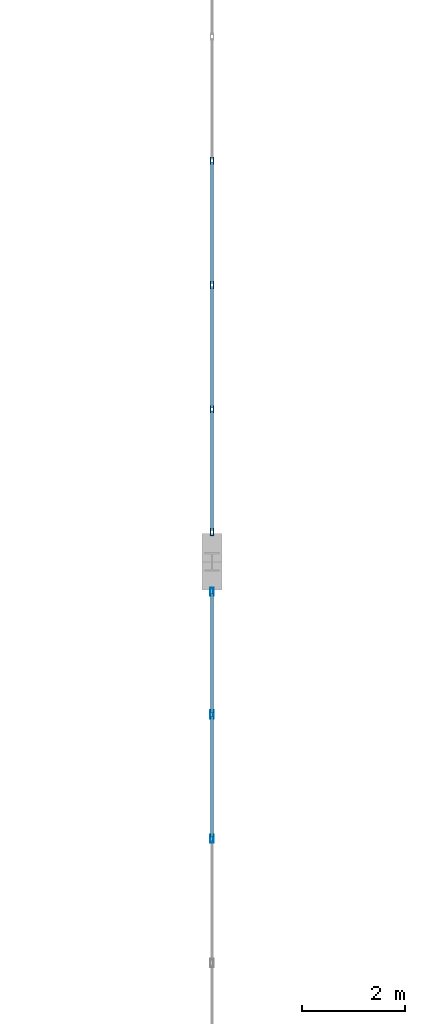
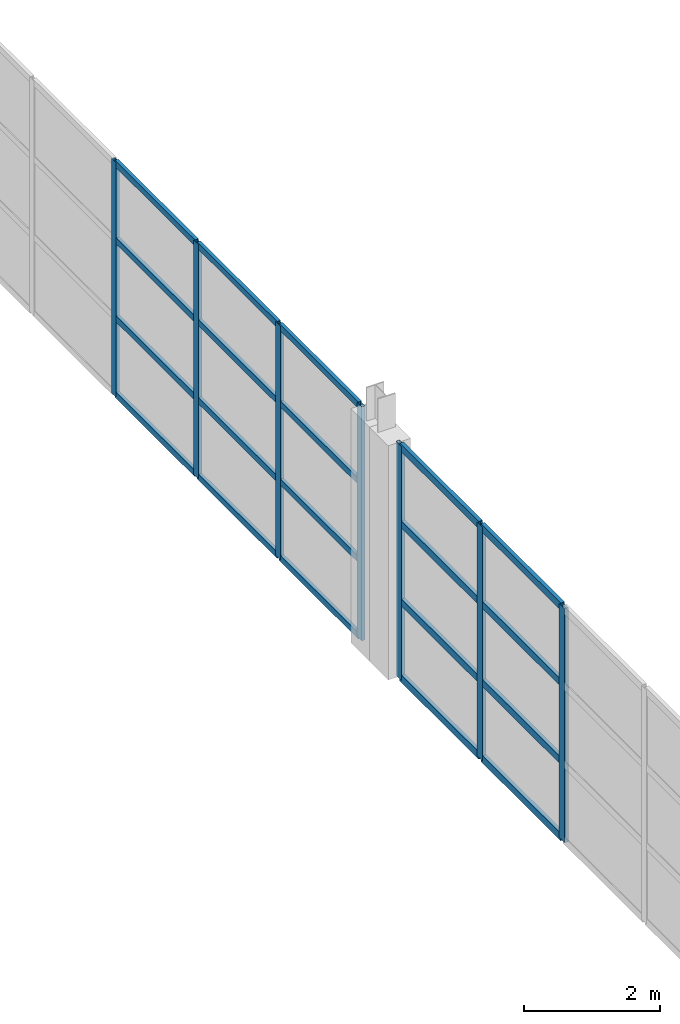
# One storey, part 24 of 86: 27 members, 2 elements without a shape of their own.
"""IFC4 building model written with IfcOpenShell, lengths in metres."""

from ifc_helpers import new_model, si_unit, direction, frame, origin, origin_2d, place, context, subcontext, project, spatial, hollow_rectangle, extrude, material, layer, layer_set, material_profile, profile_set, type_object, element, aggregate, save


model = new_model("IFC4")

# Units and contexts
model_context = context("Model", 3, precision=1e-05, world=origin(), true_north=direction((0.0, 1.0)))
body_context = subcontext(model_context, "Body", "Model", "MODEL_VIEW")
ifc_project = project(units=[si_unit("LENGTHUNIT", "METRE"), si_unit("AREAUNIT", "SQUARE_METRE"), si_unit("VOLUMEUNIT", "CUBIC_METRE"), si_unit("PLANEANGLEUNIT", "RADIAN"), si_unit("MASSUNIT", "GRAM", prefix="KILO")], contexts=[model_context])

# Site, building, storey
site_placement = place(None, origin())
site = spatial("IfcSite", under=ifc_project, at=site_placement, CompositionType="ELEMENT")
building_placement = place(site_placement, origin())
building = spatial("IfcBuilding", under=site, at=building_placement, Name="Zilviju Railside Exhibition Hall", CompositionType="ELEMENT")
storey_placement = place(building_placement, frame((0.0, 0.0, 12.60009765625)))
storey = spatial("IfcBuildingStorey", under=building, at=storey_placement, Name="L04", CompositionType="ELEMENT", Elevation=12.60009765625)

# Curtain wall, members
ifc_material_1 = material(Name="Thermally broken aluminium-steel triple-glazed curtain wall", Category="steel")
ifc_layer_1 = layer(ifc_material_1, 0.179931640625)
ifc_layer_set_1 = layer_set([ifc_layer_1], Name="Thermally broken aluminium-steel triple-glazed curtain wall")
curtain_wall_type_1 = type_object("IfcCurtainWallType", Name="CW-BAY-17", PredefinedType="USERDEFINED", material=ifc_layer_set_1)
curtain_wall_1_placement = place(storey_placement, origin())
curtain_wall_1 = element("IfcCurtainWall", 1, at=curtain_wall_1_placement, inside=storey, type_object=curtain_wall_type_1, Name="North Hall West Upper Glazed Gable (102..120)", ObjectType="GLAZED CURTAIN WALL", PredefinedType="USERDEFINED")
ifc_material_2 = material(Name="Thermally broken anodized aluminium mullion", Category="aluminium")
ifc_material_profile_1 = material_profile(ifc_material_2, hollow_rectangle(XDim=0.06005859375, YDim=0.139892578125, WallThickness=0.0048828125, at=origin_2d()), Name="MULLION 140x60x5")
ifc_profile_set_1 = profile_set([ifc_material_profile_1], Name="Thermally broken anodized aluminium mullion")
member_type_1 = type_object("IfcMemberType", Name="CWM-60x140", PredefinedType="MULLION", material=ifc_profile_set_1)
member_1_placement = place(storey_placement, frame((78.0, 102.580078125, 0.0), z_axis=(0.0, 0.0, 1.0), x_axis=(-1.0, 0.0, 0.0)))
member_1 = element("IfcMember", 2, at=member_1_placement, type_object=member_type_1, Name="CW-17 mullion 1", PredefinedType="MULLION", context=body_context, shape_type="SweptSolid", body=[
    extrude(hollow_rectangle(XDim=0.06005859375, YDim=0.139892578125, WallThickness=0.0048828125, at=origin_2d()), origin(), (0.0, 0.0, 1.0), 4.199951171875),
])
member_2_placement = place(storey_placement, frame((78.0, 104.96435546875, 0.0), z_axis=(0.0, 0.0, 1.0), x_axis=(-1.0, 0.0, 0.0)))
member_2 = element("IfcMember", 3, at=member_2_placement, type_object=member_type_1, Name="CW-17 mullion 2", PredefinedType="MULLION", context=body_context, shape_type="SweptSolid", body=[
    extrude(hollow_rectangle(XDim=0.06005859375, YDim=0.139892578125, WallThickness=0.0048828125, at=origin_2d()), origin(), (0.0, 0.0, 1.0), 4.199951171875),
])
member_3_placement = place(storey_placement, frame((78.0, 107.378662109375, 0.0), z_axis=(0.0, 0.0, 1.0), x_axis=(-1.0, 0.0, 0.0)))
member_3 = element("IfcMember", 4, at=member_3_placement, type_object=member_type_1, Name="CW-17 mullion 3", PredefinedType="MULLION", context=body_context, shape_type="SweptSolid", body=[
    extrude(hollow_rectangle(XDim=0.06005859375, YDim=0.139892578125, WallThickness=0.0048828125, at=origin_2d()), origin(), (0.0, 0.0, 1.0), 4.199951171875),
])
member_4_placement = place(storey_placement, frame((78.0, 109.79296875, 0.0), z_axis=(0.0, 0.0, 1.0), x_axis=(-1.0, 0.0, 0.0)))
member_4 = element("IfcMember", 5, at=member_4_placement, type_object=member_type_1, Name="CW-17 mullion 4", PredefinedType="MULLION", context=body_context, shape_type="SweptSolid", body=[
    extrude(hollow_rectangle(XDim=0.06005859375, YDim=0.139892578125, WallThickness=0.0048828125, at=origin_2d()), origin(), (0.0, 0.0, 1.0), 4.199951171875),
])

ifc_layer_2 = layer(ifc_material_1, 0.179931640625)
ifc_layer_set_2 = layer_set([ifc_layer_2], Name="Thermally broken aluminium-steel triple-glazed curtain wall")
curtain_wall_type_2 = type_object("IfcCurtainWallType", Name="CW-BAY-16", PredefinedType="USERDEFINED", material=ifc_layer_set_2)
curtain_wall_2_placement = place(storey_placement, origin())
curtain_wall_2 = element("IfcCurtainWall", 6, at=curtain_wall_2_placement, inside=storey, type_object=curtain_wall_type_2, Name="North Hall West Upper Glazed Gable (84..102)", ObjectType="GLAZED CURTAIN WALL", PredefinedType="USERDEFINED")
ifc_material_profile_2 = material_profile(ifc_material_2, hollow_rectangle(XDim=0.06494140625, YDim=0.159912109375, WallThickness=0.0048828125, at=origin_2d()), Name="MULLION 160x65x5")
ifc_profile_set_2 = profile_set([ifc_material_profile_2], Name="Thermally broken anodized aluminium mullion")
member_type_2 = type_object("IfcMemberType", Name="CWM-65x160", PredefinedType="MULLION", material=ifc_profile_set_2)
member_5_placement = place(storey_placement, frame((78.0, 96.621337890625, 0.0), z_axis=(0.0, 0.0, 1.0), x_axis=(-1.0, 0.0, 0.0)))
member_5 = element("IfcMember", 7, at=member_5_placement, type_object=member_type_2, Name="CW-16 mullion 6", PredefinedType="MULLION", context=body_context, shape_type="SweptSolid", body=[
    extrude(hollow_rectangle(XDim=0.06494140625, YDim=0.159912109375, WallThickness=0.0048828125, at=origin_2d()), origin(), (0.0, 0.0, 1.0), 4.199951171875),
])
member_6_placement = place(storey_placement, frame((78.0, 99.03564453125, 0.0), z_axis=(0.0, 0.0, 1.0), x_axis=(-1.0, 0.0, 0.0)))
member_6 = element("IfcMember", 8, at=member_6_placement, type_object=member_type_2, Name="CW-16 mullion 7", PredefinedType="MULLION", context=body_context, shape_type="SweptSolid", body=[
    extrude(hollow_rectangle(XDim=0.06494140625, YDim=0.159912109375, WallThickness=0.0048828125, at=origin_2d()), origin(), (0.0, 0.0, 1.0), 4.199951171875),
])
member_7_placement = place(storey_placement, frame((78.0, 101.41748046875, 0.0), z_axis=(0.0, 0.0, 1.0), x_axis=(-1.0, 0.0, 0.0)))
member_7 = element("IfcMember", 9, at=member_7_placement, type_object=member_type_2, Name="CW-16 mullion 8", PredefinedType="MULLION", context=body_context, shape_type="SweptSolid", body=[
    extrude(hollow_rectangle(XDim=0.06494140625, YDim=0.159912109375, WallThickness=0.0048828125, at=origin_2d()), origin(), (0.0, 0.0, 1.0), 4.199951171875),
])

# Member
ifc_material_3 = material(Name="Thermally broken anodized aluminium transom", Category="aluminium")
ifc_material_profile_3 = material_profile(ifc_material_3, hollow_rectangle(XDim=0.06005859375, YDim=0.110107421875, WallThickness=0.0048828125, at=origin_2d()), Name="TRANSOM 110x60x5")
ifc_profile_set_3 = profile_set([ifc_material_profile_3], Name="Thermally broken anodized aluminium transom")
member_type_3 = type_object("IfcMemberType", Name="CWT-60x110", PredefinedType="USERDEFINED", material=ifc_profile_set_3)
member_8_placement = place(storey_placement, frame((78.0, 102.610107421875, 0.02978515625), z_axis=(0.0, 1.0, 0.0), x_axis=(-1.0, 0.0, 0.0)))
member_8 = element("IfcMember", 10, at=member_8_placement, type_object=member_type_3, Name="CW-17 transom 1.1", ObjectType="TRANSOM", PredefinedType="USERDEFINED", context=body_context, shape_type="SweptSolid", body=[
    extrude(hollow_rectangle(XDim=0.06005859375, YDim=0.110107421875, WallThickness=0.0048828125, at=origin_2d()), origin(), (0.0, 0.0, 1.0), 2.32421875),
])

member_9_placement = place(storey_placement, frame((78.0, 102.610107421875, 1.39990234375), z_axis=(0.0, 1.0, 0.0), x_axis=(-1.0, 0.0, 0.0)))
member_9 = element("IfcMember", 11, at=member_9_placement, type_object=member_type_3, Name="CW-17 transom 1.2", ObjectType="TRANSOM", PredefinedType="USERDEFINED", context=body_context, shape_type="SweptSolid", body=[
    extrude(hollow_rectangle(XDim=0.06005859375, YDim=0.110107421875, WallThickness=0.0048828125, at=origin_2d()), origin(), (0.0, 0.0, 1.0), 2.32421875),
])

member_10_placement = place(storey_placement, frame((78.0, 102.610107421875, 2.7998046875), z_axis=(0.0, 1.0, 0.0), x_axis=(-1.0, 0.0, 0.0)))
member_10 = element("IfcMember", 12, at=member_10_placement, type_object=member_type_3, Name="CW-17 transom 1.3", ObjectType="TRANSOM", PredefinedType="USERDEFINED", context=body_context, shape_type="SweptSolid", body=[
    extrude(hollow_rectangle(XDim=0.06005859375, YDim=0.110107421875, WallThickness=0.0048828125, at=origin_2d()), origin(), (0.0, 0.0, 1.0), 2.32421875),
])

member_11_placement = place(storey_placement, frame((78.0, 102.610107421875, 4.169921875), z_axis=(0.0, 1.0, 0.0), x_axis=(-1.0, 0.0, 0.0)))
member_11 = element("IfcMember", 13, at=member_11_placement, type_object=member_type_3, Name="CW-17 transom 1.4", ObjectType="TRANSOM", PredefinedType="USERDEFINED", context=body_context, shape_type="SweptSolid", body=[
    extrude(hollow_rectangle(XDim=0.06005859375, YDim=0.110107421875, WallThickness=0.0048828125, at=origin_2d()), origin(), (0.0, 0.0, 1.0), 2.32421875),
])

member_12_placement = place(storey_placement, frame((78.0, 104.994384765625, 0.02978515625), z_axis=(0.0, 1.0, 0.0), x_axis=(-1.0, 0.0, 0.0)))
member_12 = element("IfcMember", 14, at=member_12_placement, type_object=member_type_3, Name="CW-17 transom 2.1", ObjectType="TRANSOM", PredefinedType="USERDEFINED", context=body_context, shape_type="SweptSolid", body=[
    extrude(hollow_rectangle(XDim=0.06005859375, YDim=0.110107421875, WallThickness=0.0048828125, at=origin_2d()), origin(), (0.0, 0.0, 1.0), 2.354248046875),
])

member_13_placement = place(storey_placement, frame((78.0, 104.994384765625, 1.39990234375), z_axis=(0.0, 1.0, 0.0), x_axis=(-1.0, 0.0, 0.0)))
member_13 = element("IfcMember", 15, at=member_13_placement, type_object=member_type_3, Name="CW-17 transom 2.2", ObjectType="TRANSOM", PredefinedType="USERDEFINED", context=body_context, shape_type="SweptSolid", body=[
    extrude(hollow_rectangle(XDim=0.06005859375, YDim=0.110107421875, WallThickness=0.0048828125, at=origin_2d()), origin(), (0.0, 0.0, 1.0), 2.354248046875),
])

member_14_placement = place(storey_placement, frame((78.0, 104.994384765625, 2.7998046875), z_axis=(0.0, 1.0, 0.0), x_axis=(-1.0, 0.0, 0.0)))
member_14 = element("IfcMember", 16, at=member_14_placement, type_object=member_type_3, Name="CW-17 transom 2.3", ObjectType="TRANSOM", PredefinedType="USERDEFINED", context=body_context, shape_type="SweptSolid", body=[
    extrude(hollow_rectangle(XDim=0.06005859375, YDim=0.110107421875, WallThickness=0.0048828125, at=origin_2d()), origin(), (0.0, 0.0, 1.0), 2.354248046875),
])

member_15_placement = place(storey_placement, frame((78.0, 104.994384765625, 4.169921875), z_axis=(0.0, 1.0, 0.0), x_axis=(-1.0, 0.0, 0.0)))
member_15 = element("IfcMember", 17, at=member_15_placement, type_object=member_type_3, Name="CW-17 transom 2.4", ObjectType="TRANSOM", PredefinedType="USERDEFINED", context=body_context, shape_type="SweptSolid", body=[
    extrude(hollow_rectangle(XDim=0.06005859375, YDim=0.110107421875, WallThickness=0.0048828125, at=origin_2d()), origin(), (0.0, 0.0, 1.0), 2.354248046875),
])

member_16_placement = place(storey_placement, frame((78.0, 107.40869140625, 0.02978515625), z_axis=(0.0, 1.0, 0.0), x_axis=(-1.0, 0.0, 0.0)))
member_16 = element("IfcMember", 18, at=member_16_placement, type_object=member_type_3, Name="CW-17 transom 3.1", ObjectType="TRANSOM", PredefinedType="USERDEFINED", context=body_context, shape_type="SweptSolid", body=[
    extrude(hollow_rectangle(XDim=0.06005859375, YDim=0.110107421875, WallThickness=0.0048828125, at=origin_2d()), origin(), (0.0, 0.0, 1.0), 2.354248046875),
])

member_17_placement = place(storey_placement, frame((78.0, 107.40869140625, 1.39990234375), z_axis=(0.0, 1.0, 0.0), x_axis=(-1.0, 0.0, 0.0)))
member_17 = element("IfcMember", 19, at=member_17_placement, type_object=member_type_3, Name="CW-17 transom 3.2", ObjectType="TRANSOM", PredefinedType="USERDEFINED", context=body_context, shape_type="SweptSolid", body=[
    extrude(hollow_rectangle(XDim=0.06005859375, YDim=0.110107421875, WallThickness=0.0048828125, at=origin_2d()), origin(), (0.0, 0.0, 1.0), 2.354248046875),
])

member_18_placement = place(storey_placement, frame((78.0, 107.40869140625, 2.7998046875), z_axis=(0.0, 1.0, 0.0), x_axis=(-1.0, 0.0, 0.0)))
member_18 = element("IfcMember", 20, at=member_18_placement, type_object=member_type_3, Name="CW-17 transom 3.3", ObjectType="TRANSOM", PredefinedType="USERDEFINED", context=body_context, shape_type="SweptSolid", body=[
    extrude(hollow_rectangle(XDim=0.06005859375, YDim=0.110107421875, WallThickness=0.0048828125, at=origin_2d()), origin(), (0.0, 0.0, 1.0), 2.354248046875),
])

member_19_placement = place(storey_placement, frame((78.0, 107.40869140625, 4.169921875), z_axis=(0.0, 1.0, 0.0), x_axis=(-1.0, 0.0, 0.0)))
member_19 = element("IfcMember", 21, at=member_19_placement, type_object=member_type_3, Name="CW-17 transom 3.4", ObjectType="TRANSOM", PredefinedType="USERDEFINED", context=body_context, shape_type="SweptSolid", body=[
    extrude(hollow_rectangle(XDim=0.06005859375, YDim=0.110107421875, WallThickness=0.0048828125, at=origin_2d()), origin(), (0.0, 0.0, 1.0), 2.354248046875),
])

aggregate(curtain_wall_1, [member_1, member_2, member_3, member_4, member_8, member_9, member_10, member_11, member_12, member_13, member_14, member_15, member_16, member_17, member_18, member_19])

ifc_material_profile_4 = material_profile(ifc_material_3, hollow_rectangle(XDim=0.06494140625, YDim=0.1298828125, WallThickness=0.0048828125, at=origin_2d()), Name="TRANSOM 130x65x5")
ifc_profile_set_4 = profile_set([ifc_material_profile_4], Name="Thermally broken anodized aluminium transom")
member_type_4 = type_object("IfcMemberType", Name="CWT-65x130", PredefinedType="USERDEFINED", material=ifc_profile_set_4)
member_20_placement = place(storey_placement, frame((78.0, 96.65380859375, 0.032470703125), z_axis=(0.0, 1.0, 0.0), x_axis=(-1.0, 0.0, 0.0)))
member_20 = element("IfcMember", 22, at=member_20_placement, type_object=member_type_4, Name="CW-16 transom 6.1", ObjectType="TRANSOM", PredefinedType="USERDEFINED", context=body_context, shape_type="SweptSolid", body=[
    extrude(hollow_rectangle(XDim=0.06494140625, YDim=0.1298828125, WallThickness=0.0048828125, at=origin_2d()), origin(), (0.0, 0.0, 1.0), 2.349365234375),
])

member_21_placement = place(storey_placement, frame((78.0, 96.65380859375, 1.39990234375), z_axis=(0.0, 1.0, 0.0), x_axis=(-1.0, 0.0, 0.0)))
member_21 = element("IfcMember", 23, at=member_21_placement, type_object=member_type_4, Name="CW-16 transom 6.2", ObjectType="TRANSOM", PredefinedType="USERDEFINED", context=body_context, shape_type="SweptSolid", body=[
    extrude(hollow_rectangle(XDim=0.06494140625, YDim=0.1298828125, WallThickness=0.0048828125, at=origin_2d()), origin(), (0.0, 0.0, 1.0), 2.349365234375),
])

member_22_placement = place(storey_placement, frame((78.0, 96.65380859375, 2.7998046875), z_axis=(0.0, 1.0, 0.0), x_axis=(-1.0, 0.0, 0.0)))
member_22 = element("IfcMember", 24, at=member_22_placement, type_object=member_type_4, Name="CW-16 transom 6.3", ObjectType="TRANSOM", PredefinedType="USERDEFINED", context=body_context, shape_type="SweptSolid", body=[
    extrude(hollow_rectangle(XDim=0.06494140625, YDim=0.1298828125, WallThickness=0.0048828125, at=origin_2d()), origin(), (0.0, 0.0, 1.0), 2.349365234375),
])

member_23_placement = place(storey_placement, frame((78.0, 96.65380859375, 4.16748046875), z_axis=(0.0, 1.0, 0.0), x_axis=(-1.0, 0.0, 0.0)))
member_23 = element("IfcMember", 25, at=member_23_placement, type_object=member_type_4, Name="CW-16 transom 6.4", ObjectType="TRANSOM", PredefinedType="USERDEFINED", context=body_context, shape_type="SweptSolid", body=[
    extrude(hollow_rectangle(XDim=0.06494140625, YDim=0.1298828125, WallThickness=0.0048828125, at=origin_2d()), origin(), (0.0, 0.0, 1.0), 2.349365234375),
])

member_24_placement = place(storey_placement, frame((78.0, 99.068115234375, 0.032470703125), z_axis=(0.0, 1.0, 0.0), x_axis=(-1.0, 0.0, 0.0)))
member_24 = element("IfcMember", 26, at=member_24_placement, type_object=member_type_4, Name="CW-16 transom 7.1", ObjectType="TRANSOM", PredefinedType="USERDEFINED", context=body_context, shape_type="SweptSolid", body=[
    extrude(hollow_rectangle(XDim=0.06494140625, YDim=0.1298828125, WallThickness=0.0048828125, at=origin_2d()), origin(), (0.0, 0.0, 1.0), 2.31689453125),
])

member_25_placement = place(storey_placement, frame((78.0, 99.068115234375, 1.39990234375), z_axis=(0.0, 1.0, 0.0), x_axis=(-1.0, 0.0, 0.0)))
member_25 = element("IfcMember", 27, at=member_25_placement, type_object=member_type_4, Name="CW-16 transom 7.2", ObjectType="TRANSOM", PredefinedType="USERDEFINED", context=body_context, shape_type="SweptSolid", body=[
    extrude(hollow_rectangle(XDim=0.06494140625, YDim=0.1298828125, WallThickness=0.0048828125, at=origin_2d()), origin(), (0.0, 0.0, 1.0), 2.31689453125),
])

member_26_placement = place(storey_placement, frame((78.0, 99.068115234375, 2.7998046875), z_axis=(0.0, 1.0, 0.0), x_axis=(-1.0, 0.0, 0.0)))
member_26 = element("IfcMember", 28, at=member_26_placement, type_object=member_type_4, Name="CW-16 transom 7.3", ObjectType="TRANSOM", PredefinedType="USERDEFINED", context=body_context, shape_type="SweptSolid", body=[
    extrude(hollow_rectangle(XDim=0.06494140625, YDim=0.1298828125, WallThickness=0.0048828125, at=origin_2d()), origin(), (0.0, 0.0, 1.0), 2.31689453125),
])

member_27_placement = place(storey_placement, frame((78.0, 99.068115234375, 4.16748046875), z_axis=(0.0, 1.0, 0.0), x_axis=(-1.0, 0.0, 0.0)))
member_27 = element("IfcMember", 29, at=member_27_placement, type_object=member_type_4, Name="CW-16 transom 7.4", ObjectType="TRANSOM", PredefinedType="USERDEFINED", context=body_context, shape_type="SweptSolid", body=[
    extrude(hollow_rectangle(XDim=0.06494140625, YDim=0.1298828125, WallThickness=0.0048828125, at=origin_2d()), origin(), (0.0, 0.0, 1.0), 2.31689453125),
])

aggregate(curtain_wall_2, [member_5, member_6, member_7, member_20, member_21, member_22, member_23, member_24, member_25, member_26, member_27])

save(model, "model.ifc")
